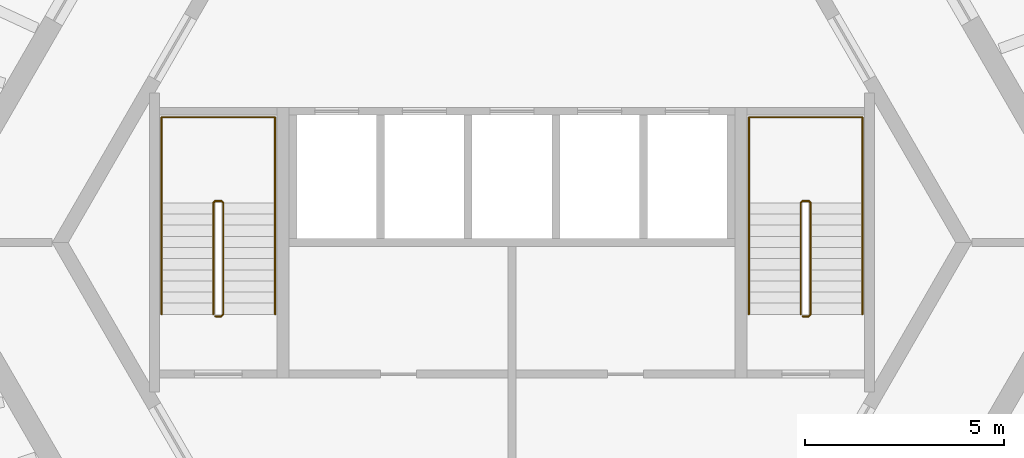
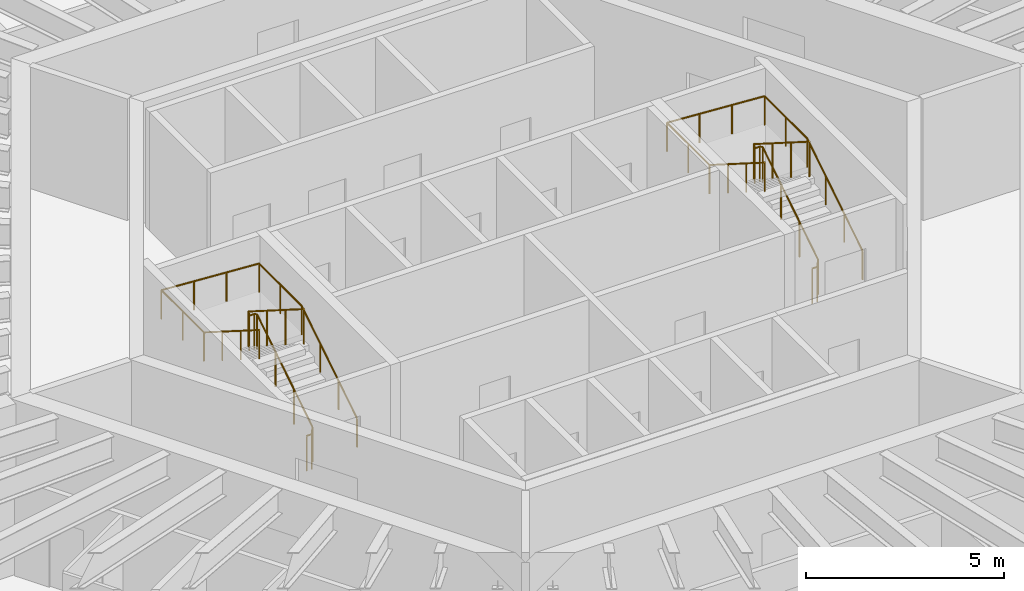
# One storey, part 10 of 10: 4 railings.
"""IFC4 building model written with IfcOpenShell, lengths in metres."""

from ifc_helpers import new_model, si_unit, direction, frame, origin, origin_2d, place, context, subcontext, project, spatial, circle, extrude, material, type_object, element, save


model = new_model("IFC4")

# Units and contexts
model_context = context("Model", 3, precision=1e-05, world=origin(), true_north=direction((0.0, 1.0)))
body_context = subcontext(model_context, "Body", "Model", "MODEL_VIEW")
ifc_project = project(units=[si_unit("LENGTHUNIT", "METRE"), si_unit("AREAUNIT", "SQUARE_METRE"), si_unit("VOLUMEUNIT", "CUBIC_METRE"), si_unit("PLANEANGLEUNIT", "RADIAN"), si_unit("MASSUNIT", "GRAM", prefix="KILO")], contexts=[model_context])

# Site, building, storey
site_placement = place(None, origin())
site = spatial("IfcSite", under=ifc_project, at=site_placement, CompositionType="ELEMENT")
building_placement = place(site_placement, origin())
building = spatial("IfcBuilding", under=site, at=building_placement, Name="Tarnside Tower", CompositionType="ELEMENT")
storey_placement = place(building_placement, frame((0.0, 0.0, 187.800048828125)))
storey = spatial("IfcBuildingStorey", under=building, at=storey_placement, Name="L44", CompositionType="ELEMENT", Elevation=187.800048828125)

# Railings
ifc_material = material(Name="Stainless steel", Category="steel")
railing_type_1 = type_object("IfcRailingType", Name="Stair guard 1100", PredefinedType="GUARDRAIL", material=ifc_material)
railing_1_placement = place(storey_placement, frame((7.300048828125, -1.85009765625, 0.0)))
element("IfcRailing", 1, at=railing_1_placement, inside=storey, type_object=railing_type_1, Name="L44 ST1 stair guard 1", PredefinedType="GUARDRAIL", context=body_context, shape_type="SweptSolid", body=[
    extrude(circle(Radius=0.02392578125, at=origin_2d()), frame((0.0, 0.0, 1.076171875), z_axis=(1.0, 0.0, 0.0), x_axis=(0.0, 1.0, 0.0)), (0.0, 0.0, 1.0), 0.14990234375),
    extrude(circle(Radius=0.02392578125, at=origin_2d()), frame((0.14990234375, 0.0, 1.076171875), z_axis=(0.262233686654, 0.262233686654, 0.928691007369), x_axis=(-0.707106781187, 0.707106781187, 0.0)), (0.0, 0.0, 1.0), 0.19091796875),
    extrude(circle(Radius=0.02392578125, at=origin_2d()), frame((0.199951171875, 0.050048828125, 1.25341796875), z_axis=(0.0, 0.844908973607, 0.534910110503), x_axis=(-1.0, 0.0, 0.0)), (0.0, 0.0, 1.0), 3.31396484375),
    extrude(circle(Radius=0.02392578125, at=origin_2d()), frame((0.199951171875, 2.85009765625, 3.02587890625), z_axis=(-0.707106781187, 0.707106781187, 0.0), x_axis=(-0.707106781187, -0.707106781187, 0.0)), (0.0, 0.0, 1.0), 0.07080078125),
    extrude(circle(Radius=0.02392578125, at=origin_2d()), frame((0.14990234375, 2.900146484375, 3.02587890625), z_axis=(-1.0, 0.0, 0.0), x_axis=(0.0, -1.0, 0.0)), (0.0, 0.0, 1.0), 0.14990234375),
    extrude(circle(Radius=0.02392578125, at=origin_2d()), frame((0.0, 2.900146484375, 3.02587890625), z_axis=(-0.262233686654, -0.262233686654, 0.928691007369), x_axis=(0.707106781187, -0.707106781187, 0.0)), (0.0, 0.0, 1.0), 0.19091796875),
    extrude(circle(Radius=0.02392578125, at=origin_2d()), frame((-0.050048828125, 2.85009765625, 3.203125), z_axis=(0.0, -0.844908973607, 0.534910110503), x_axis=(1.0, 0.0, 0.0)), (0.0, 0.0, 1.0), 3.31396484375),
    extrude(circle(Radius=0.02099609375, at=origin_2d()), origin(), (0.0, 0.0, 1.0), 1.052001953125),
    extrude(circle(Radius=0.02099609375, at=origin_2d()), frame((0.14990234375, 0.0, 0.0)), (0.0, 0.0, 1.0), 1.052001953125),
    extrude(circle(Radius=0.02099609375, at=origin_2d()), frame((0.199951171875, 0.050048828125, 0.17724609375)), (0.0, 0.0, 1.0), 1.052001953125),
    extrude(circle(Radius=0.02099609375, at=origin_2d()), frame((0.199951171875, 0.9833984375, 0.76806640625)), (0.0, 0.0, 1.0), 1.052001953125),
    extrude(circle(Radius=0.02099609375, at=origin_2d()), frame((0.199951171875, 1.916748046875, 1.359130859375)), (0.0, 0.0, 1.0), 1.052001953125),
    extrude(circle(Radius=0.02099609375, at=origin_2d()), frame((0.199951171875, 2.85009765625, 1.949951171875)), (0.0, 0.0, 1.0), 1.052001953125),
    extrude(circle(Radius=0.02099609375, at=origin_2d()), frame((0.14990234375, 2.900146484375, 1.949951171875)), (0.0, 0.0, 1.0), 1.052001953125),
    extrude(circle(Radius=0.02099609375, at=origin_2d()), frame((0.0, 2.900146484375, 1.949951171875)), (0.0, 0.0, 1.0), 1.052001953125),
    extrude(circle(Radius=0.02099609375, at=origin_2d()), frame((-0.050048828125, 2.85009765625, 2.127197265625)), (0.0, 0.0, 1.0), 1.052001953125),
    extrude(circle(Radius=0.02099609375, at=origin_2d()), frame((-0.050048828125, 1.916748046875, 2.718017578125)), (0.0, 0.0, 1.0), 1.052001953125),
    extrude(circle(Radius=0.02099609375, at=origin_2d()), frame((-0.050048828125, 0.9833984375, 3.30908203125)), (0.0, 0.0, 1.0), 1.052001953125),
    extrude(circle(Radius=0.02099609375, at=origin_2d()), frame((-0.050048828125, 0.050048828125, 3.89990234375)), (0.0, 0.0, 1.0), 1.052001953125),
])
railing_2_placement = place(storey_placement, frame((-7.449951171875, -1.85009765625, 0.0)))
element("IfcRailing", 2, at=railing_2_placement, inside=storey, type_object=railing_type_1, Name="L44 ST2 stair guard 1", PredefinedType="GUARDRAIL", context=body_context, shape_type="SweptSolid", body=[
    extrude(circle(Radius=0.02392578125, at=origin_2d()), frame((0.0, 0.0, 1.076171875), z_axis=(1.0, 0.0, 0.0), x_axis=(0.0, 1.0, 0.0)), (0.0, 0.0, 1.0), 0.14990234375),
    extrude(circle(Radius=0.02392578125, at=origin_2d()), frame((0.14990234375, 0.0, 1.076171875), z_axis=(0.262233686654, 0.262233686654, 0.928691007369), x_axis=(-0.707106781187, 0.707106781187, 0.0)), (0.0, 0.0, 1.0), 0.19091796875),
    extrude(circle(Radius=0.02392578125, at=origin_2d()), frame((0.199951171875, 0.050048828125, 1.25341796875), z_axis=(0.0, 0.844908973607, 0.534910110503), x_axis=(-1.0, 0.0, 0.0)), (0.0, 0.0, 1.0), 3.31396484375),
    extrude(circle(Radius=0.02392578125, at=origin_2d()), frame((0.199951171875, 2.85009765625, 3.02587890625), z_axis=(-0.707106781187, 0.707106781187, 0.0), x_axis=(-0.707106781187, -0.707106781187, 0.0)), (0.0, 0.0, 1.0), 0.07080078125),
    extrude(circle(Radius=0.02392578125, at=origin_2d()), frame((0.14990234375, 2.900146484375, 3.02587890625), z_axis=(-1.0, 0.0, 0.0), x_axis=(0.0, -1.0, 0.0)), (0.0, 0.0, 1.0), 0.14990234375),
    extrude(circle(Radius=0.02392578125, at=origin_2d()), frame((0.0, 2.900146484375, 3.02587890625), z_axis=(-0.262233686654, -0.262233686654, 0.928691007369), x_axis=(0.707106781187, -0.707106781187, 0.0)), (0.0, 0.0, 1.0), 0.19091796875),
    extrude(circle(Radius=0.02392578125, at=origin_2d()), frame((-0.050048828125, 2.85009765625, 3.203125), z_axis=(0.0, -0.844908973607, 0.534910110503), x_axis=(1.0, 0.0, 0.0)), (0.0, 0.0, 1.0), 3.31396484375),
    extrude(circle(Radius=0.02099609375, at=origin_2d()), origin(), (0.0, 0.0, 1.0), 1.052001953125),
    extrude(circle(Radius=0.02099609375, at=origin_2d()), frame((0.14990234375, 0.0, 0.0)), (0.0, 0.0, 1.0), 1.052001953125),
    extrude(circle(Radius=0.02099609375, at=origin_2d()), frame((0.199951171875, 0.050048828125, 0.17724609375)), (0.0, 0.0, 1.0), 1.052001953125),
    extrude(circle(Radius=0.02099609375, at=origin_2d()), frame((0.199951171875, 0.9833984375, 0.76806640625)), (0.0, 0.0, 1.0), 1.052001953125),
    extrude(circle(Radius=0.02099609375, at=origin_2d()), frame((0.199951171875, 1.916748046875, 1.359130859375)), (0.0, 0.0, 1.0), 1.052001953125),
    extrude(circle(Radius=0.02099609375, at=origin_2d()), frame((0.199951171875, 2.85009765625, 1.949951171875)), (0.0, 0.0, 1.0), 1.052001953125),
    extrude(circle(Radius=0.02099609375, at=origin_2d()), frame((0.14990234375, 2.900146484375, 1.949951171875)), (0.0, 0.0, 1.0), 1.052001953125),
    extrude(circle(Radius=0.02099609375, at=origin_2d()), frame((0.0, 2.900146484375, 1.949951171875)), (0.0, 0.0, 1.0), 1.052001953125),
    extrude(circle(Radius=0.02099609375, at=origin_2d()), frame((-0.050048828125, 2.85009765625, 2.127197265625)), (0.0, 0.0, 1.0), 1.052001953125),
    extrude(circle(Radius=0.02099609375, at=origin_2d()), frame((-0.050048828125, 1.916748046875, 2.718017578125)), (0.0, 0.0, 1.0), 1.052001953125),
    extrude(circle(Radius=0.02099609375, at=origin_2d()), frame((-0.050048828125, 0.9833984375, 3.30908203125)), (0.0, 0.0, 1.0), 1.052001953125),
    extrude(circle(Radius=0.02099609375, at=origin_2d()), frame((-0.050048828125, 0.050048828125, 3.89990234375)), (0.0, 0.0, 1.0), 1.052001953125),
])
railing_type_2 = type_object("IfcRailingType", Name="Stair handrail 900", PredefinedType="HANDRAIL", material=ifc_material)
railing_3_placement = place(storey_placement, frame((8.800048828125, -1.800048828125, 0.17724609375)))
element("IfcRailing", 3, at=railing_3_placement, inside=storey, type_object=railing_type_2, Name="L44 ST1 stair handrail 1", PredefinedType="HANDRAIL", context=body_context, shape_type="SweptSolid", body=[
    extrude(circle(Radius=0.02392578125, at=origin_2d()), frame((0.0, 0.0, 0.8857421875), z_axis=(0.0, 0.844908973607, 0.534910110503), x_axis=(-1.0, 0.0, 0.0)), (0.0, 0.0, 1.0), 3.31396484375),
    extrude(circle(Radius=0.02392578125, at=origin_2d()), frame((0.0, 2.800048828125, 2.65869140625), z_axis=(0.0, 1.0, 0.0), x_axis=(-1.0, 0.0, 0.0)), (0.0, 0.0, 1.0), 2.14990234375),
    extrude(circle(Radius=0.02392578125, at=origin_2d()), frame((0.0, 4.949951171875, 2.65869140625), z_axis=(-0.998071825391, 0.0, 0.06206956872), x_axis=(0.0, -1.0, 0.0)), (0.0, 0.0, 1.0), 2.855712890625),
    extrude(circle(Radius=0.02392578125, at=origin_2d()), frame((-2.85009765625, 4.949951171875, 2.8359375), z_axis=(0.0, -1.0, 0.0), x_axis=(1.0, 0.0, 0.0)), (0.0, 0.0, 1.0), 2.14990234375),
    extrude(circle(Radius=0.02392578125, at=origin_2d()), frame((-2.85009765625, 2.800048828125, 2.8359375), z_axis=(0.0, -0.844908973607, 0.534910110503), x_axis=(1.0, 0.0, 0.0)), (0.0, 0.0, 1.0), 3.31396484375),
    extrude(circle(Radius=0.02099609375, at=origin_2d()), origin(), (0.0, 0.0, 1.0), 0.86181640625),
    extrude(circle(Radius=0.02099609375, at=origin_2d()), frame((0.0, 0.933349609375, 0.5908203125)), (0.0, 0.0, 1.0), 0.86181640625),
    extrude(circle(Radius=0.02099609375, at=origin_2d()), frame((0.0, 1.86669921875, 1.181884765625)), (0.0, 0.0, 1.0), 0.86181640625),
    extrude(circle(Radius=0.02099609375, at=origin_2d()), frame((0.0, 2.800048828125, 1.772705078125)), (0.0, 0.0, 1.0), 0.86181640625),
    extrude(circle(Radius=0.02099609375, at=origin_2d()), frame((0.0, 3.875, 1.772705078125)), (0.0, 0.0, 1.0), 0.86181640625),
    extrude(circle(Radius=0.02099609375, at=origin_2d()), frame((0.0, 4.949951171875, 1.772705078125)), (0.0, 0.0, 1.0), 0.86181640625),
    extrude(circle(Radius=0.02099609375, at=origin_2d()), frame((-0.949951171875, 4.949951171875, 1.831787109375)), (0.0, 0.0, 1.0), 0.86181640625),
    extrude(circle(Radius=0.02099609375, at=origin_2d()), frame((-1.900146484375, 4.949951171875, 1.890869140625)), (0.0, 0.0, 1.0), 0.86181640625),
    extrude(circle(Radius=0.02099609375, at=origin_2d()), frame((-2.85009765625, 4.949951171875, 1.949951171875)), (0.0, 0.0, 1.0), 0.86181640625),
    extrude(circle(Radius=0.02099609375, at=origin_2d()), frame((-2.85009765625, 3.875, 1.949951171875)), (0.0, 0.0, 1.0), 0.86181640625),
    extrude(circle(Radius=0.02099609375, at=origin_2d()), frame((-2.85009765625, 2.800048828125, 1.949951171875)), (0.0, 0.0, 1.0), 0.86181640625),
    extrude(circle(Radius=0.02099609375, at=origin_2d()), frame((-2.85009765625, 1.86669921875, 2.540771484375)), (0.0, 0.0, 1.0), 0.86181640625),
    extrude(circle(Radius=0.02099609375, at=origin_2d()), frame((-2.85009765625, 0.933349609375, 3.1318359375)), (0.0, 0.0, 1.0), 0.86181640625),
    extrude(circle(Radius=0.02099609375, at=origin_2d()), frame((-2.85009765625, 0.0, 3.72265625)), (0.0, 0.0, 1.0), 0.86181640625),
])
railing_4_placement = place(storey_placement, frame((-5.949951171875, -1.800048828125, 0.17724609375)))
element("IfcRailing", 4, at=railing_4_placement, inside=storey, type_object=railing_type_2, Name="L44 ST2 stair handrail 1", PredefinedType="HANDRAIL", context=body_context, shape_type="SweptSolid", body=[
    extrude(circle(Radius=0.02392578125, at=origin_2d()), frame((0.0, 0.0, 0.8857421875), z_axis=(0.0, 0.844908973607, 0.534910110503), x_axis=(-1.0, 0.0, 0.0)), (0.0, 0.0, 1.0), 3.31396484375),
    extrude(circle(Radius=0.02392578125, at=origin_2d()), frame((0.0, 2.800048828125, 2.65869140625), z_axis=(0.0, 1.0, 0.0), x_axis=(-1.0, 0.0, 0.0)), (0.0, 0.0, 1.0), 2.14990234375),
    extrude(circle(Radius=0.02392578125, at=origin_2d()), frame((0.0, 4.949951171875, 2.65869140625), z_axis=(-0.998071825391, 0.0, 0.06206956872), x_axis=(0.0, -1.0, 0.0)), (0.0, 0.0, 1.0), 2.855712890625),
    extrude(circle(Radius=0.02392578125, at=origin_2d()), frame((-2.85009765625, 4.949951171875, 2.8359375), z_axis=(0.0, -1.0, 0.0), x_axis=(1.0, 0.0, 0.0)), (0.0, 0.0, 1.0), 2.14990234375),
    extrude(circle(Radius=0.02392578125, at=origin_2d()), frame((-2.85009765625, 2.800048828125, 2.8359375), z_axis=(0.0, -0.844908973607, 0.534910110503), x_axis=(1.0, 0.0, 0.0)), (0.0, 0.0, 1.0), 3.31396484375),
    extrude(circle(Radius=0.02099609375, at=origin_2d()), origin(), (0.0, 0.0, 1.0), 0.86181640625),
    extrude(circle(Radius=0.02099609375, at=origin_2d()), frame((0.0, 0.933349609375, 0.5908203125)), (0.0, 0.0, 1.0), 0.86181640625),
    extrude(circle(Radius=0.02099609375, at=origin_2d()), frame((0.0, 1.86669921875, 1.181884765625)), (0.0, 0.0, 1.0), 0.86181640625),
    extrude(circle(Radius=0.02099609375, at=origin_2d()), frame((0.0, 2.800048828125, 1.772705078125)), (0.0, 0.0, 1.0), 0.86181640625),
    extrude(circle(Radius=0.02099609375, at=origin_2d()), frame((0.0, 3.875, 1.772705078125)), (0.0, 0.0, 1.0), 0.86181640625),
    extrude(circle(Radius=0.02099609375, at=origin_2d()), frame((0.0, 4.949951171875, 1.772705078125)), (0.0, 0.0, 1.0), 0.86181640625),
    extrude(circle(Radius=0.02099609375, at=origin_2d()), frame((-0.949951171875, 4.949951171875, 1.831787109375)), (0.0, 0.0, 1.0), 0.86181640625),
    extrude(circle(Radius=0.02099609375, at=origin_2d()), frame((-1.900146484375, 4.949951171875, 1.890869140625)), (0.0, 0.0, 1.0), 0.86181640625),
    extrude(circle(Radius=0.02099609375, at=origin_2d()), frame((-2.85009765625, 4.949951171875, 1.949951171875)), (0.0, 0.0, 1.0), 0.86181640625),
    extrude(circle(Radius=0.02099609375, at=origin_2d()), frame((-2.85009765625, 3.875, 1.949951171875)), (0.0, 0.0, 1.0), 0.86181640625),
    extrude(circle(Radius=0.02099609375, at=origin_2d()), frame((-2.85009765625, 2.800048828125, 1.949951171875)), (0.0, 0.0, 1.0), 0.86181640625),
    extrude(circle(Radius=0.02099609375, at=origin_2d()), frame((-2.85009765625, 1.86669921875, 2.540771484375)), (0.0, 0.0, 1.0), 0.86181640625),
    extrude(circle(Radius=0.02099609375, at=origin_2d()), frame((-2.85009765625, 0.933349609375, 3.1318359375)), (0.0, 0.0, 1.0), 0.86181640625),
    extrude(circle(Radius=0.02099609375, at=origin_2d()), frame((-2.85009765625, 0.0, 3.72265625)), (0.0, 0.0, 1.0), 0.86181640625),
])

save(model, "model.ifc")
